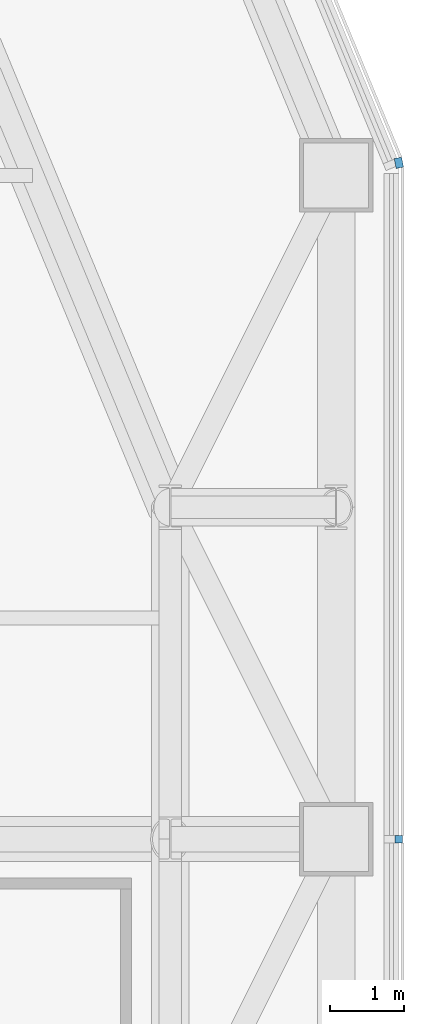
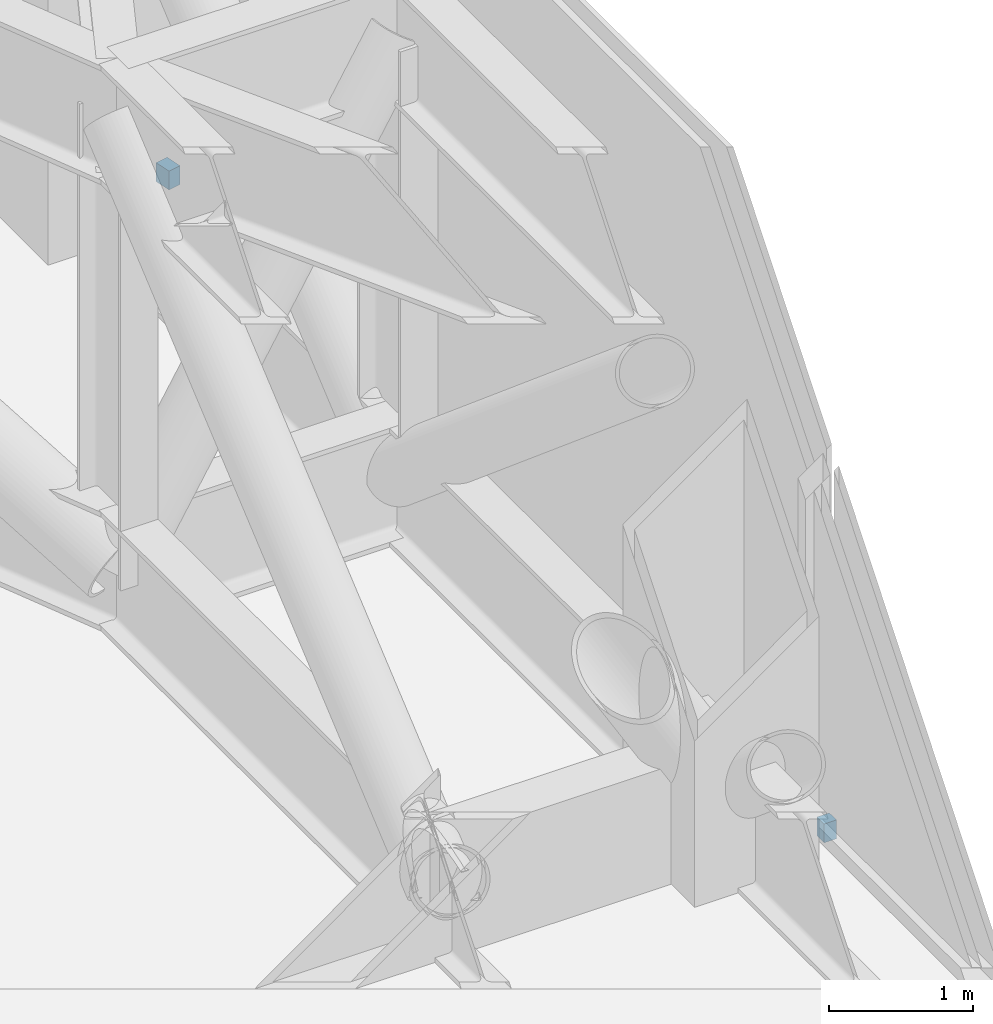
# One storey, part 26 of 33: 2 discrete accessories.
"""IFC4 building model written with IfcOpenShell, lengths in metres."""

import ifcopenshell
import ifcopenshell.guid

model = None  # the IFC model being written
_history = None  # IfcOwnerHistory: only IFC2X3 demands one
_inside = {}  # id of a spatial element -> (the spatial element, [elements in it])
_under = {}  # id of a project, library or spatial element -> (it, [spatial elements below it])
_declared = {}  # id of a project -> (the project, [libraries it declares])
_typed = {}  # id of a type object -> (the type object, [elements of that type])
_made_of = {}  # id of a material, layer set ... -> (it, [elements and type objects made of it])


def new_model(schema):
    """Start an empty IFC model of exactly this schema.

    Asked for "IFC4X3", IfcOpenShell would pick the latest addendum, in which some entities
    have other attributes; the version numbers below select the first issue.
    IFC2X3 requires an IfcOwnerHistory on every rooted entity: one is made here for all.
    """
    global model, _history
    if schema == "IFC4X3":
        model = ifcopenshell.file(schema_version=(4, 3, 0, 0))
    else:
        model = ifcopenshell.file(schema=schema)
    _inside.clear()
    _under.clear()
    _declared.clear()
    _typed.clear()
    _made_of.clear()
    _history = None
    if model.schema == "IFC2X3":
        org = make("IfcOrganization", Name="unknown")
        user = make(
            "IfcPersonAndOrganization",
            ThePerson=make("IfcPerson", FamilyName="unknown"),
            TheOrganization=org,
        )
        app = make(
            "IfcApplication",
            ApplicationDeveloper=org,
            Version="unknown",
            ApplicationFullName="unknown",
            ApplicationIdentifier="unknown",
        )
        _history = make(
            "IfcOwnerHistory",
            OwningUser=user,
            OwningApplication=app,
            ChangeAction="ADDED",
            CreationDate=0,
        )
    return model


def make(cls, **values):
    """One entity of the class cls with the attributes given. An attribute that is None is left unset."""
    return model.create_entity(
        cls, **{name: value for name, value in values.items() if value is not None}
    )


def rooted(cls, **values):
    """An entity with a GlobalId (a new one), such as an element, a storey or a relation."""
    return make(cls, GlobalId=ifcopenshell.guid.new(), OwnerHistory=_history, **values)


def si_unit(unit_type, name, prefix=None):
    """IfcSIUnit, for example si_unit("LENGTHUNIT", "METRE", prefix="MILLI")."""
    return make("IfcSIUnit", UnitType=unit_type, Prefix=prefix, Name=name)


def assignment(units):
    """IfcUnitAssignment: the units of a project."""
    return None if units is None else make("IfcUnitAssignment", Units=units)


def point(xyz):
    """IfcCartesianPoint."""
    return None if xyz is None else make("IfcCartesianPoint", Coordinates=xyz)


def direction(xyz):
    """IfcDirection."""
    return None if xyz is None else make("IfcDirection", DirectionRatios=xyz)


def frame(location, z_axis=None, x_axis=None):
    """IfcAxis2Placement3D, a coordinate frame: its origin and axes. An axis left out is left unset."""
    return make(
        "IfcAxis2Placement3D",
        Location=point(location),
        Axis=direction(z_axis),
        RefDirection=direction(x_axis),
    )


def frame_2d(location, x_axis=None):
    """IfcAxis2Placement2D, a coordinate frame in the plane: its origin and x axis."""
    return make(
        "IfcAxis2Placement2D", Location=point(location), RefDirection=direction(x_axis)
    )


def origin():
    """The frame at (0, 0, 0) with its axes left unset."""
    return frame((0.0, 0.0, 0.0))


def origin_2d():
    """The frame at (0, 0) in the plane with its x axis left unset."""
    return frame_2d((0.0, 0.0))


def place(relative_to, where):
    """IfcLocalPlacement: puts the frame where relative to a parent placement (None: the world)."""
    return make(
        "IfcLocalPlacement", PlacementRelTo=relative_to, RelativePlacement=where
    )


def context(
    kind, dimensions, precision=None, world=None, true_north=None, identifier=None
):
    """IfcGeometricRepresentationContext, for example the 3D "Model" context."""
    return make(
        "IfcGeometricRepresentationContext",
        ContextIdentifier=identifier,
        ContextType=kind,
        CoordinateSpaceDimension=dimensions,
        Precision=precision,
        WorldCoordinateSystem=world,
        TrueNorth=true_north,
    )


def subcontext(parent, identifier, kind, view, scale=None):
    """IfcGeometricRepresentationSubContext, for example "Body" below "Model"."""
    return make(
        "IfcGeometricRepresentationSubContext",
        ContextIdentifier=identifier,
        ContextType=kind,
        ParentContext=parent,
        TargetScale=scale,
        TargetView=view,
    )


def project(units=None, contexts=None):
    """IfcProject with its units and contexts."""
    return rooted(
        "IfcProject",
        Name="project",
        RepresentationContexts=contexts,
        UnitsInContext=assignment(units),
    )


def spatial(cls, under=None, at=None, **own):
    """A site, building, storey or space (cls), placed at a placement, below another one or the project."""
    s = rooted(cls, ObjectPlacement=at, **own)
    if under is not None:
        _under.setdefault(under.id(), (under, []))[1].append(s)
    return s


def profile(cls, at=None, kind="AREA", **sizes):
    """A parametric profile (cls). Its sizes go by their IFC names, for example OverallWidth=200.0."""
    return make(cls, ProfileType=kind, Position=at, **sizes)


def rectangle(**sizes):
    """IfcRectangleProfileDef."""
    return profile("IfcRectangleProfileDef", **sizes)


def extrude(swept, where, along, depth):
    """IfcExtrudedAreaSolid: the profile swept, set in the frame where, extruded along a direction by depth."""
    return make(
        "IfcExtrudedAreaSolid",
        SweptArea=swept,
        Position=where,
        ExtrudedDirection=direction(along),
        Depth=depth,
    )


def shape(context_of_items, identifier, shape_type, items):
    """IfcShapeRepresentation: the items that make up one representation, for example the "Body"."""
    return make(
        "IfcShapeRepresentation",
        ContextOfItems=context_of_items,
        RepresentationIdentifier=identifier,
        RepresentationType=shape_type,
        Items=items,
    )


def material(Name=None, Category=None):
    """IfcMaterial."""
    return make("IfcMaterial", Name=Name, Category=Category)


def made_of(thing, what):
    """Note that an element or type object is made of a material, layer set ...; save() writes the relation."""
    if what is not None:
        _made_of.setdefault(what.id(), (what, []))[1].append(thing)
    return thing


def type_object(cls, material=None, **own):
    """A type object (cls), such as IfcWallType, which elements share."""
    return made_of(rooted(cls, **own), material)


def element(
    cls,
    number,
    at=None,
    inside=None,
    cuts=None,
    type_object=None,
    material=None,
    context=None,
    identifier="Body",
    shape_type=None,
    held_by="IfcProductDefinitionShape",
    body=None,
    shapes=None,
    **own,
):
    """One element of the class cls, such as IfcWall. Its Tag is "e" and its number.

    at: its placement. inside: the storey or other place that contains it. cuts: it is an
    opening in that element (IfcRelVoidsElement). A single representation is given by context,
    identifier, shape_type and body (its items); several are given by shapes. held_by: the class
    of the entity that holds the representations. save() writes the other relations.
    """
    e = rooted(cls, Tag="e%d" % number, ObjectPlacement=at, **own)
    if body is not None:
        shapes = [shape(context, identifier, shape_type, body)]
    if shapes is not None:
        e.Representation = make(held_by, Representations=shapes)
    if inside is not None:
        _inside.setdefault(inside.id(), (inside, []))[1].append(e)
    if cuts is not None:
        rooted(
            "IfcRelVoidsElement", RelatingBuildingElement=cuts, RelatedOpeningElement=e
        )
    if type_object is not None:
        _typed.setdefault(type_object.id(), (type_object, []))[1].append(e)
    return made_of(e, material)


def aggregate(whole, parts):
    """IfcRelAggregates: a whole, such as a stair, and the parts it consists of."""
    return rooted("IfcRelAggregates", RelatingObject=whole, RelatedObjects=parts)


def save(model, path):
    """Write the relations noted so far, then the file.

    IfcRelAggregates (storeys below a building ...), IfcRelContainedInSpatialStructure (elements
    in a storey), IfcRelDefinesByType, IfcRelAssociatesMaterial and IfcRelDeclares: one each for
    every whole, place, type object, material and project.
    """
    for whole, parts in _under.values():
        aggregate(whole, parts)
    for where, things in _inside.values():
        rooted(
            "IfcRelContainedInSpatialStructure",
            RelatedElements=things,
            RelatingStructure=where,
        )
    for kind, things in _typed.values():
        rooted("IfcRelDefinesByType", RelatedObjects=things, RelatingType=kind)
    for what, things in _made_of.values():
        rooted("IfcRelAssociatesMaterial", RelatedObjects=things, RelatingMaterial=what)
    for by, libraries in _declared.values():
        rooted("IfcRelDeclares", RelatingContext=by, RelatedDefinitions=libraries)
    model.write(path)


model = new_model("IFC4")

# Units and contexts
model_context = context("Model", 3, precision=1e-05, world=origin(), true_north=direction((0.0, 1.0)))
body_context = subcontext(model_context, "Body", "Model", "MODEL_VIEW")
ifc_project = project(units=[si_unit("LENGTHUNIT", "METRE"), si_unit("AREAUNIT", "SQUARE_METRE"), si_unit("VOLUMEUNIT", "CUBIC_METRE"), si_unit("PLANEANGLEUNIT", "RADIAN"), si_unit("MASSUNIT", "GRAM", prefix="KILO")], contexts=[model_context])

# Site, building, storey
site_placement = place(None, origin())
site = spatial("IfcSite", under=ifc_project, at=site_placement, CompositionType="ELEMENT")
building_placement = place(site_placement, origin())
building = spatial("IfcBuilding", under=site, at=building_placement, Name="Siwar Civic Tower", CompositionType="ELEMENT")
storey_placement = place(building_placement, frame((0.0, 0.0, 94.199951171875)))
storey = spatial("IfcBuildingStorey", under=building, at=storey_placement, Name="L20", CompositionType="ELEMENT", Elevation=94.199951171875)

# Discrete accessories
ifc_material = material(Name="Stainless steel 316", Category="steel")
discrete_accessory_type = type_object("IfcDiscreteAccessoryType", Name="ENV-BRACKET", PredefinedType="BRACKET", material=ifc_material)
discrete_accessory_1_placement = place(storey_placement, frame((32.35009765625, 13.5, -0.1796875), z_axis=(0.0, 0.0, 1.0), x_axis=(1.0, 0.0, 0.0)))
element("IfcDiscreteAccessory", 1, at=discrete_accessory_1_placement, inside=storey, type_object=discrete_accessory_type, Name="Bracket outer skin joint E-04", PredefinedType="BRACKET", context=body_context, shape_type="SweptSolid", body=[
    extrude(rectangle(XDim=0.10009765625, YDim=0.10009765625, at=origin_2d()), origin(), (0.0, 0.0, 1.0), 0.159912109375),
])
discrete_accessory_2_placement = place(storey_placement, frame((32.35009765625, 22.669189453125, -0.1796875), z_axis=(0.0, 0.0, 1.0), x_axis=(0.980785280403, 0.195090322016, 0.0)))
element("IfcDiscreteAccessory", 2, at=discrete_accessory_2_placement, inside=storey, type_object=discrete_accessory_type, Name="Bracket outer skin joint V04", PredefinedType="BRACKET", context=body_context, shape_type="SweptSolid", body=[
    extrude(rectangle(XDim=0.10205078125, YDim=0.13720703125, at=origin_2d()), origin(), (0.0, 0.0, 1.0), 0.159912109375),
])

save(model, "model.ifc")
